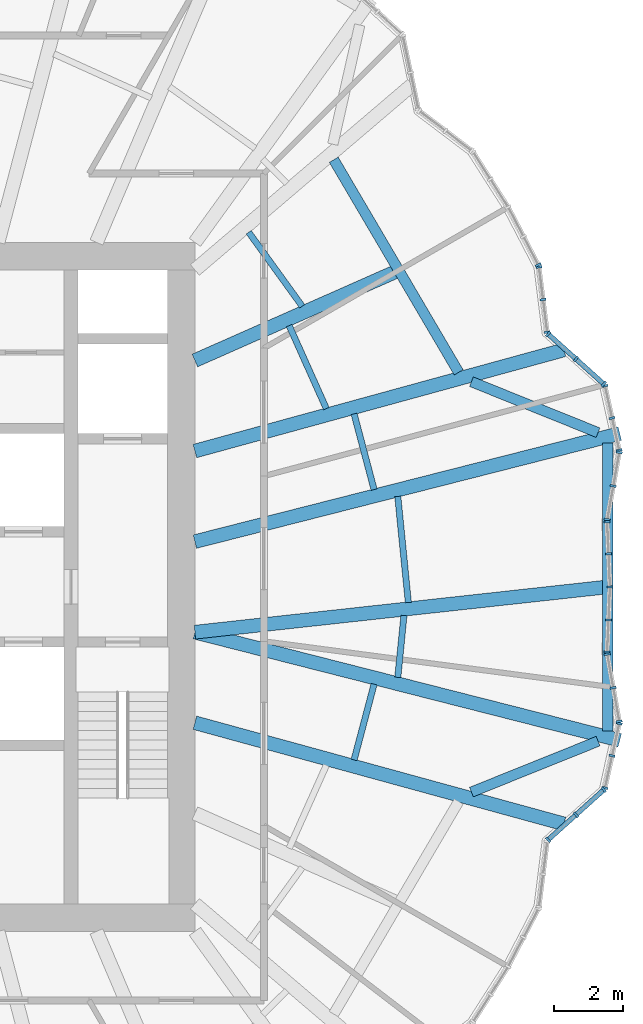
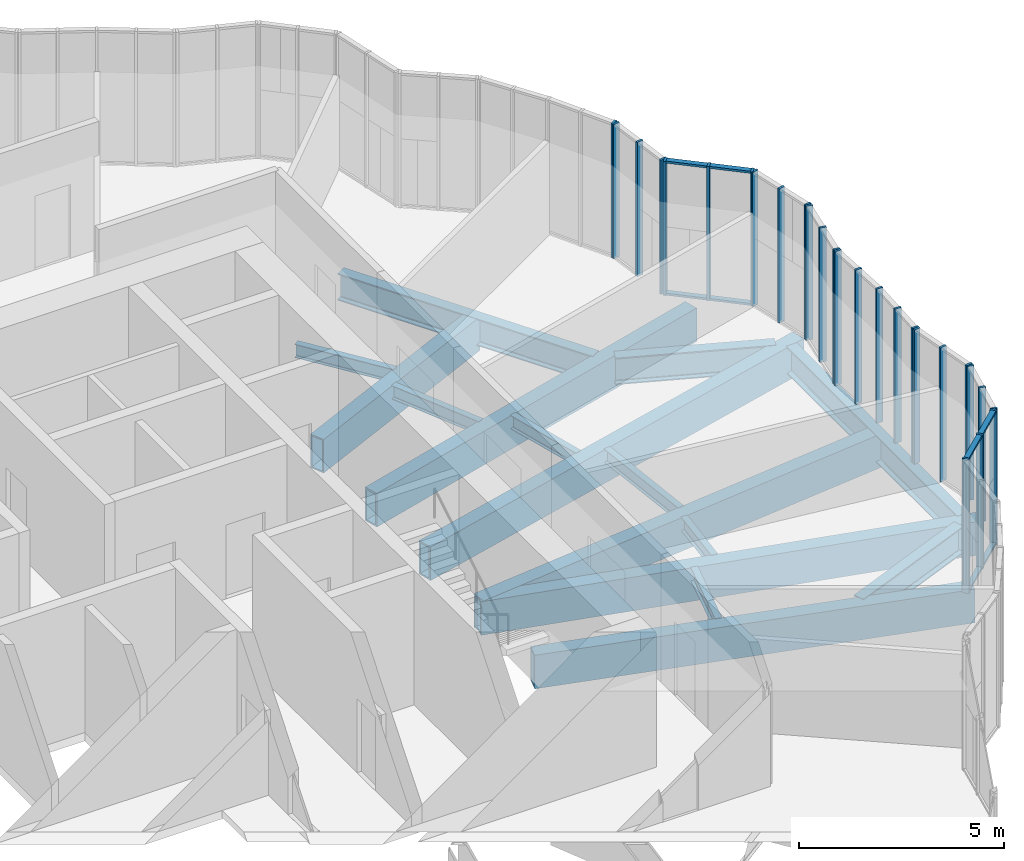
# One storey, part 6 of 23: 35 members, 16 beams, 10 elements without a shape of their own.
"""IFC4 building model written with IfcOpenShell, lengths in metres."""

from ifc_helpers import new_model, si_unit, direction, frame, origin, origin_2d, place, context, subcontext, project, spatial, rectangle, hollow_rectangle, i_section, extrude, material, material_profile, profile_set, type_object, element, aggregate, save


model = new_model("IFC4")

# Units and contexts
model_context = context("Model", 3, precision=1e-05, world=origin(), true_north=direction((0.0, 1.0)))
body_context = subcontext(model_context, "Body", "Model", "MODEL_VIEW")
ifc_project = project(units=[si_unit("LENGTHUNIT", "METRE"), si_unit("AREAUNIT", "SQUARE_METRE"), si_unit("VOLUMEUNIT", "CUBIC_METRE"), si_unit("PLANEANGLEUNIT", "RADIAN"), si_unit("MASSUNIT", "GRAM", prefix="KILO")], contexts=[model_context])

# Site, building, storey
site_placement = place(None, origin())
site = spatial("IfcSite", under=ifc_project, at=site_placement, CompositionType="ELEMENT")
building_placement = place(site_placement, origin())
building = spatial("IfcBuilding", under=site, at=building_placement, Name="Golbaran Civic Tower", CompositionType="ELEMENT")
storey_placement = place(building_placement, frame((0.0, 0.0, 33.0)))
storey = spatial("IfcBuildingStorey", under=building, at=storey_placement, Name="L07", CompositionType="ELEMENT", Elevation=33.0)

# Beams
ifc_material_1 = material(Name="Steel S355", Category="steel")
ifc_material_profile_1 = material_profile(ifc_material_1, i_section(OverallWidth=0.300048828125, OverallDepth=0.800048828125, WebThickness=0.017578125, FlangeThickness=0.032958984375, FilletRadius=0.030029296875, at=origin_2d()), Name="HEB 800")
ifc_profile_set_1 = profile_set([ifc_material_profile_1], Name="Steel S355")
beam_type_1 = type_object("IfcBeamType", Name="EDGE BEAM HEB 800", PredefinedType="BEAM", material=ifc_profile_set_1)
beam_1_placement = place(storey_placement, frame((21.70068359375, 4.47705078125, -0.60009765625), z_axis=(-0.927675405766, 0.373387655845, 0.0), x_axis=(-0.373387655845, -0.927675405766, 0.0)))
element("IfcBeam", 1, at=beam_1_placement, inside=storey, type_object=beam_type_1, Name="Edge beam 11.36 L07", PredefinedType="BEAM", context=body_context, shape_type="SweptSolid", body=[
    extrude(i_section(OverallWidth=0.300048828125, OverallDepth=0.800048828125, WebThickness=0.017578125, FlangeThickness=0.032958984375, FilletRadius=0.030029296875, at=origin_2d()), origin(), (0.0, 0.0, 1.0), 3.9609375),
])
beam_2_placement = place(storey_placement, frame((17.65576171875, 6.22802734375, -0.60009765625), z_axis=(-0.506678694853, 0.862134966338, 0.0), x_axis=(-0.862134966338, -0.506678694853, 0.0)))
element("IfcBeam", 2, at=beam_2_placement, inside=storey, type_object=beam_type_1, Name="Edge beam 18.26 L07", PredefinedType="BEAM", context=body_context, shape_type="SweptSolid", body=[
    extrude(i_section(OverallWidth=0.300048828125, OverallDepth=0.800048828125, WebThickness=0.017578125, FlangeThickness=0.032958984375, FilletRadius=0.030029296875, at=origin_2d()), origin(), (0.0, 0.0, 1.0), 7.15673828125),
])
beam_3_placement = place(storey_placement, frame((18.026123046875, -5.9560546875, -0.60009765625), z_axis=(0.927675405766, 0.373387655845, 0.0), x_axis=(-0.373387655845, 0.927675405766, 0.0)))
element("IfcBeam", 3, at=beam_3_placement, inside=storey, type_object=beam_type_1, Name="Edge beam 341.74 L07", PredefinedType="BEAM", context=body_context, shape_type="SweptSolid", body=[
    extrude(i_section(OverallWidth=0.300048828125, OverallDepth=0.800048828125, WebThickness=0.017578125, FlangeThickness=0.032958984375, FilletRadius=0.030029296875, at=origin_2d()), origin(), (0.0, 0.0, 1.0), 3.9609375),
])
beam_4_placement = place(storey_placement, frame((21.9833984375, -4.177490234375, -0.60009765625), z_axis=(0.0, 1.0, 0.0), x_axis=(-1.0, 0.0, 0.0)))
element("IfcBeam", 4, at=beam_4_placement, inside=storey, type_object=beam_type_1, Name="Edge beam 348.64 L07", PredefinedType="BEAM", context=body_context, shape_type="SweptSolid", body=[
    extrude(i_section(OverallWidth=0.300048828125, OverallDepth=0.800048828125, WebThickness=0.017578125, FlangeThickness=0.032958984375, FilletRadius=0.030029296875, at=origin_2d()), origin(), (0.0, 0.0, 1.0), 8.35498046875),
])
ifc_material_profile_2 = material_profile(ifc_material_1, i_section(OverallWidth=0.179931640625, OverallDepth=0.39990234375, WebThickness=0.008544921875, FlangeThickness=0.013427734375, FilletRadius=0.02099609375, at=origin_2d()), Name="IPE 400")
ifc_profile_set_2 = profile_set([ifc_material_profile_2], Name="Steel S355")
beam_type_2 = type_object("IfcBeamType", Name="FLOOR INFILL BEAM IPE 400", PredefinedType="BEAM", material=ifc_profile_set_2)
beam_5_placement = place(storey_placement, frame((16.195068359375, -0.453857421875, -0.39990234375), z_axis=(-0.098972747745, 0.99509014426, 0.0), x_axis=(-0.99509014426, -0.098972747745, 0.0)))
element("IfcBeam", 5, at=beam_5_placement, inside=storey, type_object=beam_type_2, Name="Infill beam 5.68 L07", PredefinedType="BEAM", context=body_context, shape_type="SweptSolid", body=[
    extrude(i_section(OverallWidth=0.179931640625, OverallDepth=0.39990234375, WebThickness=0.008544921875, FlangeThickness=0.013427734375, FilletRadius=0.02099609375, at=origin_2d()), origin(), (0.0, 0.0, 1.0), 3.095703125),
])
beam_6_placement = place(storey_placement, frame((15.201171875, 2.8232421875, -0.39990234375), z_axis=(-0.255644761984, 0.966770787555, 0.0), x_axis=(-0.966770787555, -0.255644761984, 0.0)))
element("IfcBeam", 6, at=beam_6_placement, inside=storey, type_object=beam_type_2, Name="Infill beam 14.81 L07", PredefinedType="BEAM", context=body_context, shape_type="SweptSolid", body=[
    extrude(i_section(OverallWidth=0.179931640625, OverallDepth=0.39990234375, WebThickness=0.008544921875, FlangeThickness=0.013427734375, FilletRadius=0.02099609375, at=origin_2d()), origin(), (0.0, 0.0, 1.0), 2.27490234375),
])
beam_7_placement = place(storey_placement, frame((13.81494140625, 5.175048828125, -0.39990234375), z_axis=(-0.408830249642, 0.912610446454, 0.0), x_axis=(-0.912610446454, -0.408830249642, 0.0)))
element("IfcBeam", 7, at=beam_7_placement, inside=storey, type_object=beam_type_2, Name="Infill beam 24.13 L07", PredefinedType="BEAM", context=body_context, shape_type="SweptSolid", body=[
    extrude(i_section(OverallWidth=0.179931640625, OverallDepth=0.39990234375, WebThickness=0.008544921875, FlangeThickness=0.013427734375, FilletRadius=0.02099609375, at=origin_2d()), origin(), (0.0, 0.0, 1.0), 2.640625),
])
beam_8_placement = place(storey_placement, frame((13.1142578125, 8.146240234375, -0.39990234375), z_axis=(-0.585967975109, 0.810334210155, 0.0), x_axis=(-0.810334210155, -0.585967975109, 0.0)))
element("IfcBeam", 8, at=beam_8_placement, inside=storey, type_object=beam_type_2, Name="Infill beam 35.87 L07", PredefinedType="BEAM", context=body_context, shape_type="SweptSolid", body=[
    extrude(i_section(OverallWidth=0.179931640625, OverallDepth=0.39990234375, WebThickness=0.008544921875, FlangeThickness=0.013427734375, FilletRadius=0.02099609375, at=origin_2d()), origin(), (0.0, 0.0, 1.0), 2.650634765625),
])
beam_9_placement = place(storey_placement, frame((14.61962890625, -5.0224609375, -0.39990234375), z_axis=(0.255644761984, 0.966770787555, 0.0), x_axis=(-0.966770787555, 0.255644761984, 0.0)))
element("IfcBeam", 9, at=beam_9_placement, inside=storey, type_object=beam_type_2, Name="Infill beam 345.19 L07", PredefinedType="BEAM", context=body_context, shape_type="SweptSolid", body=[
    extrude(i_section(OverallWidth=0.179931640625, OverallDepth=0.39990234375, WebThickness=0.008544921875, FlangeThickness=0.013427734375, FilletRadius=0.02099609375, at=origin_2d()), origin(), (0.0, 0.0, 1.0), 2.27490234375),
])
beam_10_placement = place(storey_placement, frame((15.888671875, -2.626708984375, -0.39990234375), z_axis=(0.098968249065, 0.995090591694, 0.0), x_axis=(-0.995090591694, 0.098968249065, 0.0)))
element("IfcBeam", 10, at=beam_10_placement, inside=storey, type_object=beam_type_2, Name="Infill beam 354.32 L07", PredefinedType="BEAM", context=body_context, shape_type="SweptSolid", body=[
    extrude(i_section(OverallWidth=0.179931640625, OverallDepth=0.39990234375, WebThickness=0.008544921875, FlangeThickness=0.013427734375, FilletRadius=0.02099609375, at=origin_2d()), origin(), (0.0, 0.0, 1.0), 1.8056640625),
])

# Curtain wall, members
ifc_material_2 = material(Name="Aluminium and glass", Category="aluminium")
curtain_wall_type = type_object("IfcCurtainWallType", Name="INNER SKIN CURTAIN WALL", PredefinedType="NOTDEFINED", material=ifc_material_2)
curtain_wall_1_placement = place(storey_placement, origin())
curtain_wall_1 = element("IfcCurtainWall", 11, at=curtain_wall_1_placement, inside=storey, type_object=curtain_wall_type, Name="Inner skin L07 facet 1 CW1", ObjectType="INNER SKIN", PredefinedType="USERDEFINED")
ifc_material_3 = material(Name="Aluminium", Category="aluminium")
ifc_material_profile_3 = material_profile(ifc_material_3, rectangle(XDim=0.179931640625, YDim=0.06494140625, at=origin_2d()), Name="INNER SKIN CURTAIN WALL MULLION")
ifc_profile_set_3 = profile_set([ifc_material_profile_3], Name="Aluminium")
member_type_1 = type_object("IfcMemberType", Name="INNER SKIN CURTAIN WALL MULLION", PredefinedType="MULLION", material=ifc_profile_set_3)
member_1_placement = place(storey_placement, frame((22.003173828125, 0.960693359375, 0.0), z_axis=(0.0, 0.0, 1.0), x_axis=(-0.999048221572, -0.043619387592, 0.0)))
member_1 = element("IfcMember", 12, at=member_1_placement, type_object=member_type_1, Name="CW1 mullion 2", PredefinedType="MULLION", context=body_context, shape_type="SweptSolid", body=[
    extrude(rectangle(XDim=0.179931640625, YDim=0.06494140625, at=origin_2d()), origin(), (0.0, 0.0, 1.0), 4.0),
])
member_2_placement = place(storey_placement, frame((21.962646484375, 1.888916015625, 0.0), z_axis=(0.0, 0.0, 1.0), x_axis=(-0.999048221572, -0.043619387592, 0.0)))
member_2 = element("IfcMember", 13, at=member_2_placement, type_object=member_type_1, Name="CW1 mullion 3", PredefinedType="MULLION", context=body_context, shape_type="SweptSolid", body=[
    extrude(rectangle(XDim=0.179931640625, YDim=0.06494140625, at=origin_2d()), origin(), (0.0, 0.0, 1.0), 4.0),
])
aggregate(curtain_wall_1, [member_1, member_2])

curtain_wall_2_placement = place(storey_placement, origin())
curtain_wall_2 = element("IfcCurtainWall", 14, at=curtain_wall_2_placement, inside=storey, type_object=curtain_wall_type, Name="Inner skin L07 facet 2 CW1", ObjectType="INNER SKIN", PredefinedType="USERDEFINED")
member_3_placement = place(storey_placement, frame((21.966796875, 1.953369140625, 0.0), z_axis=(0.0, 0.0, 1.0), x_axis=(-0.984440805521, 0.175716534296, 0.0)))
member_3 = element("IfcMember", 15, at=member_3_placement, type_object=member_type_1, Name="CW1 mullion 1", PredefinedType="MULLION", context=body_context, shape_type="SweptSolid", body=[
    extrude(rectangle(XDim=0.179931640625, YDim=0.06494140625, at=origin_2d()), origin(), (0.0, 0.0, 1.0), 4.0),
])
member_4_placement = place(storey_placement, frame((22.140869140625, 2.928466796875, 0.0), z_axis=(0.0, 0.0, 1.0), x_axis=(-0.984440805521, 0.175716534296, 0.0)))
member_4 = element("IfcMember", 16, at=member_4_placement, type_object=member_type_1, Name="CW1 mullion 2", PredefinedType="MULLION", context=body_context, shape_type="SweptSolid", body=[
    extrude(rectangle(XDim=0.179931640625, YDim=0.06494140625, at=origin_2d()), origin(), (0.0, 0.0, 1.0), 4.0),
])
member_5_placement = place(storey_placement, frame((22.31494140625, 3.90380859375, 0.0), z_axis=(0.0, 0.0, 1.0), x_axis=(-0.984440805521, 0.175716534296, 0.0)))
member_5 = element("IfcMember", 17, at=member_5_placement, type_object=member_type_1, Name="CW1 mullion 3", PredefinedType="MULLION", context=body_context, shape_type="SweptSolid", body=[
    extrude(rectangle(XDim=0.179931640625, YDim=0.06494140625, at=origin_2d()), origin(), (0.0, 0.0, 1.0), 4.0),
])
aggregate(curtain_wall_2, [member_3, member_4, member_5])

curtain_wall_3_placement = place(storey_placement, origin())
curtain_wall_3 = element("IfcCurtainWall", 18, at=curtain_wall_3_placement, inside=storey, type_object=curtain_wall_type, Name="Inner skin L07 facet 3 CW1", ObjectType="INNER SKIN", PredefinedType="USERDEFINED")
member_6_placement = place(storey_placement, frame((22.313720703125, 3.967529296875, 0.0), z_axis=(0.0, 0.0, 1.0), x_axis=(-0.976296007127, -0.216439613904, 0.0)))
member_6 = element("IfcMember", 19, at=member_6_placement, type_object=member_type_1, Name="CW1 mullion 1", PredefinedType="MULLION", context=body_context, shape_type="SweptSolid", body=[
    extrude(rectangle(XDim=0.179931640625, YDim=0.06494140625, at=origin_2d()), origin(), (0.0, 0.0, 1.0), 4.0),
])
member_7_placement = place(storey_placement, frame((22.106689453125, 4.90087890625, 0.0), z_axis=(0.0, 0.0, 1.0), x_axis=(-0.976296007127, -0.216439613904, 0.0)))
member_7 = element("IfcMember", 20, at=member_7_placement, type_object=member_type_1, Name="CW1 mullion 2", PredefinedType="MULLION", context=body_context, shape_type="SweptSolid", body=[
    extrude(rectangle(XDim=0.179931640625, YDim=0.06494140625, at=origin_2d()), origin(), (0.0, 0.0, 1.0), 4.0),
])
member_8_placement = place(storey_placement, frame((21.899658203125, 5.83447265625, 0.0), z_axis=(0.0, 0.0, 1.0), x_axis=(-0.976296007127, -0.216439613904, 0.0)))
member_8 = element("IfcMember", 21, at=member_8_placement, type_object=member_type_1, Name="CW1 mullion 3", PredefinedType="MULLION", context=body_context, shape_type="SweptSolid", body=[
    extrude(rectangle(XDim=0.179931640625, YDim=0.06494140625, at=origin_2d()), origin(), (0.0, 0.0, 1.0), 4.0),
])
aggregate(curtain_wall_3, [member_6, member_7, member_8])

curtain_wall_4_placement = place(storey_placement, origin())
curtain_wall_4 = element("IfcCurtainWall", 22, at=curtain_wall_4_placement, inside=storey, type_object=curtain_wall_type, Name="Inner skin L07 facet 4 CW1", ObjectType="INNER SKIN", PredefinedType="USERDEFINED")
member_9_placement = place(storey_placement, frame((21.86865234375, 5.887939453125, 0.0), z_axis=(0.0, 0.0, 1.0), x_axis=(-0.668420309882, -0.743783765174, 0.0)))
member_9 = element("IfcMember", 23, at=member_9_placement, type_object=member_type_1, Name="CW1 mullion 1", PredefinedType="MULLION", context=body_context, shape_type="SweptSolid", body=[
    extrude(rectangle(XDim=0.179931640625, YDim=0.06494140625, at=origin_2d()), origin(), (0.0, 0.0, 1.0), 4.0),
])
member_10_placement = place(storey_placement, frame((21.060302734375, 6.6142578125, 0.0), z_axis=(0.0, 0.0, 1.0), x_axis=(-0.668420309882, -0.743783765174, 0.0)))
member_10 = element("IfcMember", 24, at=member_10_placement, type_object=member_type_1, Name="CW1 mullion 2", PredefinedType="MULLION", context=body_context, shape_type="SweptSolid", body=[
    extrude(rectangle(XDim=0.179931640625, YDim=0.06494140625, at=origin_2d()), origin(), (0.0, 0.0, 1.0), 4.0),
])
member_11_placement = place(storey_placement, frame((20.251953125, 7.340576171875, 0.0), z_axis=(0.0, 0.0, 1.0), x_axis=(-0.668420309882, -0.743783765174, 0.0)))
member_11 = element("IfcMember", 25, at=member_11_placement, type_object=member_type_1, Name="CW1 mullion 3", PredefinedType="MULLION", context=body_context, shape_type="SweptSolid", body=[
    extrude(rectangle(XDim=0.179931640625, YDim=0.06494140625, at=origin_2d()), origin(), (0.0, 0.0, 1.0), 4.0),
])

curtain_wall_5_placement = place(storey_placement, origin())
curtain_wall_5 = element("IfcCurtainWall", 26, at=curtain_wall_5_placement, inside=storey, type_object=curtain_wall_type, Name="Inner skin L07 facet 5 CW1", ObjectType="INNER SKIN", PredefinedType="USERDEFINED")
member_12_placement = place(storey_placement, frame((20.2236328125, 7.39453125, 0.0), z_axis=(0.0, 0.0, 1.0), x_axis=(-0.992027138401, -0.126024428889, 0.0)))
member_12 = element("IfcMember", 27, at=member_12_placement, type_object=member_type_1, Name="CW1 mullion 1", PredefinedType="MULLION", context=body_context, shape_type="SweptSolid", body=[
    extrude(rectangle(XDim=0.179931640625, YDim=0.06494140625, at=origin_2d()), origin(), (0.0, 0.0, 1.0), 4.0),
])
member_13_placement = place(storey_placement, frame((20.103759765625, 8.33935546875, 0.0), z_axis=(0.0, 0.0, 1.0), x_axis=(-0.992027138401, -0.126024428889, 0.0)))
member_13 = element("IfcMember", 28, at=member_13_placement, type_object=member_type_1, Name="CW1 mullion 2", PredefinedType="MULLION", context=body_context, shape_type="SweptSolid", body=[
    extrude(rectangle(XDim=0.179931640625, YDim=0.06494140625, at=origin_2d()), origin(), (0.0, 0.0, 1.0), 4.0),
])
member_14_placement = place(storey_placement, frame((19.983642578125, 9.284423828125, 0.0), z_axis=(0.0, 0.0, 1.0), x_axis=(-0.992027138401, -0.126024428889, 0.0)))
member_14 = element("IfcMember", 29, at=member_14_placement, type_object=member_type_1, Name="CW1 mullion 3", PredefinedType="MULLION", context=body_context, shape_type="SweptSolid", body=[
    extrude(rectangle(XDim=0.179931640625, YDim=0.06494140625, at=origin_2d()), origin(), (0.0, 0.0, 1.0), 4.0),
])
aggregate(curtain_wall_5, [member_12, member_13, member_14])

# Curtain wall, member
curtain_wall_6_placement = place(storey_placement, origin())
curtain_wall_6 = element("IfcCurtainWall", 30, at=curtain_wall_6_placement, inside=storey, type_object=curtain_wall_type, Name="Inner skin L07 facet 6 CW1", ObjectType="INNER SKIN", PredefinedType="USERDEFINED")
member_15_placement = place(storey_placement, frame((19.964599609375, 9.345458984375, 0.0), z_axis=(0.0, 0.0, 1.0), x_axis=(-0.887010833146, -0.461748613297, 0.0)))
member_15 = element("IfcMember", 31, at=member_15_placement, type_object=member_type_1, Name="CW1 mullion 1", PredefinedType="MULLION", context=body_context, shape_type="SweptSolid", body=[
    extrude(rectangle(XDim=0.179931640625, YDim=0.06494140625, at=origin_2d()), origin(), (0.0, 0.0, 1.0), 4.0),
])
aggregate(curtain_wall_6, [member_15])

# Curtain wall, members
curtain_wall_7_placement = place(storey_placement, origin())
curtain_wall_7 = element("IfcCurtainWall", 32, at=curtain_wall_7_placement, inside=storey, type_object=curtain_wall_type, Name="Inner skin L07 facet 69 CW1", ObjectType="INNER SKIN", PredefinedType="USERDEFINED")
member_16_placement = place(storey_placement, frame((20.251953125, -7.340576171875, 0.0), z_axis=(0.0, 0.0, 1.0), x_axis=(-0.668420309882, 0.743783765174, 0.0)))
member_16 = element("IfcMember", 33, at=member_16_placement, type_object=member_type_1, Name="CW1 mullion 1", PredefinedType="MULLION", context=body_context, shape_type="SweptSolid", body=[
    extrude(rectangle(XDim=0.179931640625, YDim=0.06494140625, at=origin_2d()), origin(), (0.0, 0.0, 1.0), 4.0),
])
member_17_placement = place(storey_placement, frame((21.060302734375, -6.6142578125, 0.0), z_axis=(0.0, 0.0, 1.0), x_axis=(-0.668420309882, 0.743783765174, 0.0)))
member_17 = element("IfcMember", 34, at=member_17_placement, type_object=member_type_1, Name="CW1 mullion 2", PredefinedType="MULLION", context=body_context, shape_type="SweptSolid", body=[
    extrude(rectangle(XDim=0.179931640625, YDim=0.06494140625, at=origin_2d()), origin(), (0.0, 0.0, 1.0), 4.0),
])
member_18_placement = place(storey_placement, frame((21.86865234375, -5.887939453125, 0.0), z_axis=(0.0, 0.0, 1.0), x_axis=(-0.668420309882, 0.743783765174, 0.0)))
member_18 = element("IfcMember", 35, at=member_18_placement, type_object=member_type_1, Name="CW1 mullion 3", PredefinedType="MULLION", context=body_context, shape_type="SweptSolid", body=[
    extrude(rectangle(XDim=0.179931640625, YDim=0.06494140625, at=origin_2d()), origin(), (0.0, 0.0, 1.0), 4.0),
])

curtain_wall_8_placement = place(storey_placement, origin())
curtain_wall_8 = element("IfcCurtainWall", 36, at=curtain_wall_8_placement, inside=storey, type_object=curtain_wall_type, Name="Inner skin L07 facet 70 CW1", ObjectType="INNER SKIN", PredefinedType="USERDEFINED")
member_19_placement = place(storey_placement, frame((21.899658203125, -5.83447265625, 0.0), z_axis=(0.0, 0.0, 1.0), x_axis=(-0.976296007127, 0.216439613904, 0.0)))
member_19 = element("IfcMember", 37, at=member_19_placement, type_object=member_type_1, Name="CW1 mullion 1", PredefinedType="MULLION", context=body_context, shape_type="SweptSolid", body=[
    extrude(rectangle(XDim=0.179931640625, YDim=0.06494140625, at=origin_2d()), origin(), (0.0, 0.0, 1.0), 4.0),
])
member_20_placement = place(storey_placement, frame((22.106689453125, -4.90087890625, 0.0), z_axis=(0.0, 0.0, 1.0), x_axis=(-0.976296007127, 0.216439613904, 0.0)))
member_20 = element("IfcMember", 38, at=member_20_placement, type_object=member_type_1, Name="CW1 mullion 2", PredefinedType="MULLION", context=body_context, shape_type="SweptSolid", body=[
    extrude(rectangle(XDim=0.179931640625, YDim=0.06494140625, at=origin_2d()), origin(), (0.0, 0.0, 1.0), 4.0),
])
member_21_placement = place(storey_placement, frame((22.313720703125, -3.967529296875, 0.0), z_axis=(0.0, 0.0, 1.0), x_axis=(-0.976296007127, 0.216439613904, 0.0)))
member_21 = element("IfcMember", 39, at=member_21_placement, type_object=member_type_1, Name="CW1 mullion 3", PredefinedType="MULLION", context=body_context, shape_type="SweptSolid", body=[
    extrude(rectangle(XDim=0.179931640625, YDim=0.06494140625, at=origin_2d()), origin(), (0.0, 0.0, 1.0), 4.0),
])
aggregate(curtain_wall_8, [member_19, member_20, member_21])

curtain_wall_9_placement = place(storey_placement, origin())
curtain_wall_9 = element("IfcCurtainWall", 40, at=curtain_wall_9_placement, inside=storey, type_object=curtain_wall_type, Name="Inner skin L07 facet 71 CW1", ObjectType="INNER SKIN", PredefinedType="USERDEFINED")
member_22_placement = place(storey_placement, frame((22.31494140625, -3.90380859375, 0.0), z_axis=(0.0, 0.0, 1.0), x_axis=(-0.984440805521, -0.175716534296, 0.0)))
member_22 = element("IfcMember", 41, at=member_22_placement, type_object=member_type_1, Name="CW1 mullion 1", PredefinedType="MULLION", context=body_context, shape_type="SweptSolid", body=[
    extrude(rectangle(XDim=0.179931640625, YDim=0.06494140625, at=origin_2d()), origin(), (0.0, 0.0, 1.0), 4.0),
])
member_23_placement = place(storey_placement, frame((22.140869140625, -2.928466796875, 0.0), z_axis=(0.0, 0.0, 1.0), x_axis=(-0.984440805521, -0.175716534296, 0.0)))
member_23 = element("IfcMember", 42, at=member_23_placement, type_object=member_type_1, Name="CW1 mullion 2", PredefinedType="MULLION", context=body_context, shape_type="SweptSolid", body=[
    extrude(rectangle(XDim=0.179931640625, YDim=0.06494140625, at=origin_2d()), origin(), (0.0, 0.0, 1.0), 4.0),
])
member_24_placement = place(storey_placement, frame((21.966796875, -1.953369140625, 0.0), z_axis=(0.0, 0.0, 1.0), x_axis=(-0.984440805521, -0.175716534296, 0.0)))
member_24 = element("IfcMember", 43, at=member_24_placement, type_object=member_type_1, Name="CW1 mullion 3", PredefinedType="MULLION", context=body_context, shape_type="SweptSolid", body=[
    extrude(rectangle(XDim=0.179931640625, YDim=0.06494140625, at=origin_2d()), origin(), (0.0, 0.0, 1.0), 4.0),
])
aggregate(curtain_wall_9, [member_22, member_23, member_24])

curtain_wall_10_placement = place(storey_placement, origin())
curtain_wall_10 = element("IfcCurtainWall", 44, at=curtain_wall_10_placement, inside=storey, type_object=curtain_wall_type, Name="Inner skin L07 facet 72 CW1", ObjectType="INNER SKIN", PredefinedType="USERDEFINED")
member_25_placement = place(storey_placement, frame((21.962646484375, -1.888916015625, 0.0), z_axis=(0.0, 0.0, 1.0), x_axis=(-0.999048221572, 0.043619387592, 0.0)))
member_25 = element("IfcMember", 45, at=member_25_placement, type_object=member_type_1, Name="CW1 mullion 1", PredefinedType="MULLION", context=body_context, shape_type="SweptSolid", body=[
    extrude(rectangle(XDim=0.179931640625, YDim=0.06494140625, at=origin_2d()), origin(), (0.0, 0.0, 1.0), 4.0),
])
member_26_placement = place(storey_placement, frame((22.003173828125, -0.960693359375, 0.0), z_axis=(0.0, 0.0, 1.0), x_axis=(-0.999048221572, 0.043619387592, 0.0)))
member_26 = element("IfcMember", 46, at=member_26_placement, type_object=member_type_1, Name="CW1 mullion 2", PredefinedType="MULLION", context=body_context, shape_type="SweptSolid", body=[
    extrude(rectangle(XDim=0.179931640625, YDim=0.06494140625, at=origin_2d()), origin(), (0.0, 0.0, 1.0), 4.0),
])
member_27_placement = place(storey_placement, frame((22.044921875, 0.0, 0.0), z_axis=(0.0, 0.0, 1.0), x_axis=(-1.0, 1.05e-10, 0.0)))
member_27 = element("IfcMember", 47, at=member_27_placement, type_object=member_type_1, Name="CW1 mullion 3", PredefinedType="MULLION", context=body_context, shape_type="SweptSolid", body=[
    extrude(rectangle(XDim=0.179931640625, YDim=0.06494140625, at=origin_2d()), origin(), (0.0, 0.0, 1.0), 4.0),
])
aggregate(curtain_wall_10, [member_25, member_26, member_27])

# Member
ifc_material_profile_4 = material_profile(ifc_material_3, rectangle(XDim=0.139892578125, YDim=0.06494140625, at=origin_2d()), Name="INNER SKIN CURTAIN WALL TRANSOM")
ifc_profile_set_4 = profile_set([ifc_material_profile_4], Name="Aluminium")
member_type_2 = type_object("IfcMemberType", Name="INNER SKIN CURTAIN WALL TRANSOM", PredefinedType="USERDEFINED", material=ifc_profile_set_4)
member_28_placement = place(storey_placement, frame((21.844482421875, 5.90966796875, 0.032470703125), z_axis=(-0.743852318106, 0.668344019834, 0.0), x_axis=(-0.668344019834, -0.743852318106, 0.0)))
member_28 = element("IfcMember", 48, at=member_28_placement, type_object=member_type_2, Name="CW1 transom 1.1", ObjectType="TRANSOM", PredefinedType="USERDEFINED", context=body_context, shape_type="SweptSolid", body=[
    extrude(rectangle(XDim=0.139892578125, YDim=0.06494140625, at=origin_2d()), origin(), (0.0, 0.0, 1.0), 1.021728515625),
])

member_29_placement = place(storey_placement, frame((21.844482421875, 5.90966796875, 3.967529296875), z_axis=(-0.743852318106, 0.668344019834, 0.0), x_axis=(-0.668344019834, -0.743852318106, 0.0)))
member_29 = element("IfcMember", 49, at=member_29_placement, type_object=member_type_2, Name="CW1 transom 1.2", ObjectType="TRANSOM", PredefinedType="USERDEFINED", context=body_context, shape_type="SweptSolid", body=[
    extrude(rectangle(XDim=0.139892578125, YDim=0.06494140625, at=origin_2d()), origin(), (0.0, 0.0, 1.0), 1.021728515625),
])

member_30_placement = place(storey_placement, frame((21.0361328125, 6.635986328125, 0.032470703125), z_axis=(-0.743852318106, 0.668344019834, 0.0), x_axis=(-0.668344019834, -0.743852318106, 0.0)))
member_30 = element("IfcMember", 50, at=member_30_placement, type_object=member_type_2, Name="CW1 transom 2.1", ObjectType="TRANSOM", PredefinedType="USERDEFINED", context=body_context, shape_type="SweptSolid", body=[
    extrude(rectangle(XDim=0.139892578125, YDim=0.06494140625, at=origin_2d()), origin(), (0.0, 0.0, 1.0), 1.021728515625),
])

member_31_placement = place(storey_placement, frame((21.0361328125, 6.635986328125, 3.967529296875), z_axis=(-0.743852318106, 0.668344019834, 0.0), x_axis=(-0.668344019834, -0.743852318106, 0.0)))
member_31 = element("IfcMember", 51, at=member_31_placement, type_object=member_type_2, Name="CW1 transom 2.2", ObjectType="TRANSOM", PredefinedType="USERDEFINED", context=body_context, shape_type="SweptSolid", body=[
    extrude(rectangle(XDim=0.139892578125, YDim=0.06494140625, at=origin_2d()), origin(), (0.0, 0.0, 1.0), 1.021728515625),
])

aggregate(curtain_wall_4, [member_9, member_10, member_11, member_28, member_29, member_30, member_31])

member_32_placement = place(storey_placement, frame((20.276123046875, -7.31884765625, 0.032470703125), z_axis=(0.743852318106, 0.668344019834, 0.0), x_axis=(-0.668344019834, 0.743852318106, 0.0)))
member_32 = element("IfcMember", 52, at=member_32_placement, type_object=member_type_2, Name="CW1 transom 1.1", ObjectType="TRANSOM", PredefinedType="USERDEFINED", context=body_context, shape_type="SweptSolid", body=[
    extrude(rectangle(XDim=0.139892578125, YDim=0.06494140625, at=origin_2d()), origin(), (0.0, 0.0, 1.0), 1.021728515625),
])

member_33_placement = place(storey_placement, frame((20.276123046875, -7.31884765625, 3.967529296875), z_axis=(0.743852318106, 0.668344019834, 0.0), x_axis=(-0.668344019834, 0.743852318106, 0.0)))
member_33 = element("IfcMember", 53, at=member_33_placement, type_object=member_type_2, Name="CW1 transom 1.2", ObjectType="TRANSOM", PredefinedType="USERDEFINED", context=body_context, shape_type="SweptSolid", body=[
    extrude(rectangle(XDim=0.139892578125, YDim=0.06494140625, at=origin_2d()), origin(), (0.0, 0.0, 1.0), 1.021728515625),
])

member_34_placement = place(storey_placement, frame((21.08447265625, -6.592529296875, 0.032470703125), z_axis=(0.743852318106, 0.668344019834, 0.0), x_axis=(-0.668344019834, 0.743852318106, 0.0)))
member_34 = element("IfcMember", 54, at=member_34_placement, type_object=member_type_2, Name="CW1 transom 2.1", ObjectType="TRANSOM", PredefinedType="USERDEFINED", context=body_context, shape_type="SweptSolid", body=[
    extrude(rectangle(XDim=0.139892578125, YDim=0.06494140625, at=origin_2d()), origin(), (0.0, 0.0, 1.0), 1.021728515625),
])

member_35_placement = place(storey_placement, frame((21.08447265625, -6.592529296875, 3.967529296875), z_axis=(0.743852318106, 0.668344019834, 0.0), x_axis=(-0.668344019834, 0.743852318106, 0.0)))
member_35 = element("IfcMember", 55, at=member_35_placement, type_object=member_type_2, Name="CW1 transom 2.2", ObjectType="TRANSOM", PredefinedType="USERDEFINED", context=body_context, shape_type="SweptSolid", body=[
    extrude(rectangle(XDim=0.139892578125, YDim=0.06494140625, at=origin_2d()), origin(), (0.0, 0.0, 1.0), 1.021728515625),
])

aggregate(curtain_wall_7, [member_16, member_17, member_18, member_32, member_33, member_34, member_35])

# Beams
ifc_material_profile_5 = material_profile(ifc_material_1, hollow_rectangle(XDim=0.39990234375, YDim=1.0, WallThickness=0.050048828125, at=origin_2d()), Name="BOX 1000x400x50")
ifc_profile_set_5 = profile_set([ifc_material_profile_5], Name="Steel S355")
beam_type_3 = type_object("IfcBeamType", Name="RADIAL FLOOR BEAM BOX 1000x400x50", PredefinedType="BEAM", material=ifc_profile_set_5)
beam_11_placement = place(storey_placement, frame((10.0, 1.314208984375, -0.7099609375), z_axis=(0.969120520059, 0.246587545512, 0.0), x_axis=(-0.246587545512, 0.969120520059, 0.0)))
element("IfcBeam", 56, at=beam_11_placement, inside=storey, type_object=beam_type_3, Name="Radial beam 11.36 L07", PredefinedType="BEAM", context=body_context, shape_type="SweptSolid", body=[
    extrude(hollow_rectangle(XDim=0.39990234375, YDim=1.0, WallThickness=0.050048828125, at=origin_2d()), origin(), (0.0, 0.0, 1.0), 12.724365234375),
])
for number, where, z_axis, x_axis, name in (
    (57, (10.0, 3.94287109375, -0.7099609375), (0.964429275127, 0.264341017018, 0.0), (-0.264341017018, 0.964429275127, 0.0), "Radial beam 18.26 L07"),
    (58, (10.0, -3.94287109375, -0.7099609375), (0.964429275127, -0.264341017018, 0.0), (0.264341017018, 0.964429275127, 0.0), "Radial beam 341.74 L07"),
):
    element("IfcBeam", number, at=place(storey_placement, frame(where, z_axis=z_axis, x_axis=x_axis)), inside=storey, type_object=beam_type_3, Name=name, PredefinedType="BEAM", context=body_context, shape_type="SweptSolid", body=[
        extrude(hollow_rectangle(XDim=0.39990234375, YDim=1.0, WallThickness=0.050048828125, at=origin_2d()), origin(), (0.0, 0.0, 1.0), 11.10693359375),
    ])
beam_12_placement = place(storey_placement, frame((10.0, -1.314208984375, -0.7099609375), z_axis=(0.969120520059, -0.246587545512, 0.0), x_axis=(0.246587545512, 0.969120520059, 0.0)))
element("IfcBeam", 59, at=beam_12_placement, inside=storey, type_object=beam_type_3, Name="Radial beam 348.64 L07", PredefinedType="BEAM", context=body_context, shape_type="SweptSolid", body=[
    extrude(hollow_rectangle(XDim=0.39990234375, YDim=1.0, WallThickness=0.050048828125, at=origin_2d()), origin(), (0.0, 0.0, 1.0), 12.724365234375),
])
ifc_material_profile_6 = material_profile(ifc_material_1, hollow_rectangle(XDim=0.39990234375, YDim=1.0, WallThickness=0.0400390625, at=origin_2d()), Name="BOX 1000x400x40")
ifc_profile_set_6 = profile_set([ifc_material_profile_6], Name="Steel S355")
beam_type_4 = type_object("IfcBeamType", Name="SECONDARY FLOOR BEAM BOX 1000x400x40", PredefinedType="BEAM", material=ifc_profile_set_6)
beam_13_placement = place(storey_placement, frame((10.0, -1.314208984375, -0.7099609375), z_axis=(0.994040048141, 0.109015515833, 0.0), x_axis=(-0.109015515833, 0.994040048141, 0.0)))
element("IfcBeam", 60, at=beam_13_placement, inside=storey, type_object=beam_type_4, Name="Secondary beam 0.00 L07", PredefinedType="BEAM", context=body_context, shape_type="SweptSolid", body=[
    extrude(hollow_rectangle(XDim=0.39990234375, YDim=1.0, WallThickness=0.0400390625, at=origin_2d()), origin(), (0.0, 0.0, 1.0), 12.05517578125),
])
beam_14_placement = place(storey_placement, frame((10.0, 6.571533203125, -0.7099609375), z_axis=(0.914487271555, 0.404614668744, 0.0), x_axis=(-0.404614668744, 0.914487271555, 0.0)))
element("IfcBeam", 61, at=beam_14_placement, inside=storey, type_object=beam_type_4, Name="Secondary beam 30.00 L07", PredefinedType="BEAM", context=body_context, shape_type="SweptSolid", body=[
    extrude(hollow_rectangle(XDim=0.39990234375, YDim=1.0, WallThickness=0.0400390625, at=origin_2d()), origin(), (0.0, 0.0, 1.0), 6.468994140625),
])

save(model, "model.ifc")
